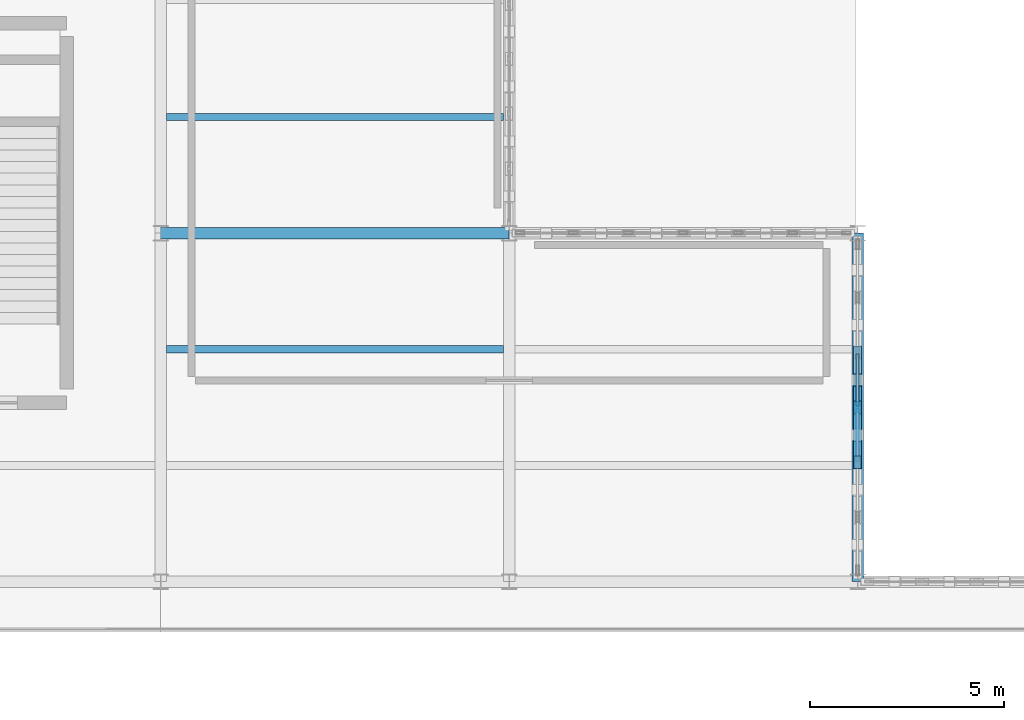
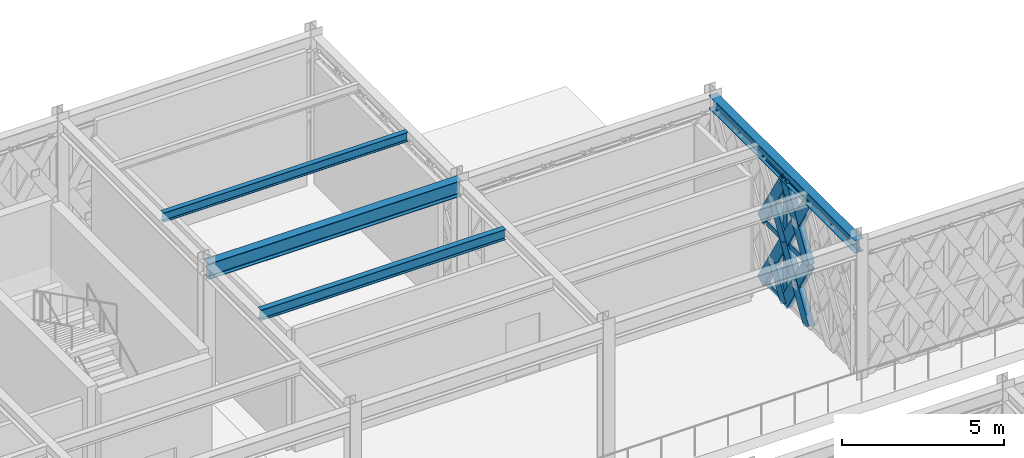
# One storey, part 94 of 140: 16 members, 4 beams, 1 element without a shape of its own.
"""IFC4 building model written with IfcOpenShell, lengths in metres."""

from ifc_helpers import new_model, si_unit, direction, frame, origin, origin_2d, place, context, subcontext, project, spatial, hollow_rectangle, i_section, extrude, material, material_profile, profile_set, type_object, element, aggregate, save


model = new_model("IFC4")

# Units and contexts
model_context = context("Model", 3, precision=1e-05, world=origin(), true_north=direction((0.0, 1.0)))
body_context = subcontext(model_context, "Body", "Model", "MODEL_VIEW")
ifc_project = project(units=[si_unit("LENGTHUNIT", "METRE"), si_unit("AREAUNIT", "SQUARE_METRE"), si_unit("VOLUMEUNIT", "CUBIC_METRE"), si_unit("PLANEANGLEUNIT", "RADIAN"), si_unit("MASSUNIT", "GRAM", prefix="KILO")], contexts=[model_context])

# Site, building, storey
site_placement = place(None, origin())
site = spatial("IfcSite", under=ifc_project, at=site_placement, CompositionType="ELEMENT")
building_placement = place(site_placement, origin())
building = spatial("IfcBuilding", under=site, at=building_placement, Name="Haizhuo Lancet Aquarium", CompositionType="ELEMENT")
storey_placement = place(building_placement, origin())
storey = spatial("IfcBuildingStorey", under=building, at=storey_placement, Name="L00", CompositionType="ELEMENT", Elevation=0.0)

# Beams
ifc_material_1 = material(Name="Steel S355", Category="steel")
ifc_material_profile_1 = material_profile(ifc_material_1, i_section(OverallWidth=0.300048828125, OverallDepth=0.488037109375, WebThickness=0.010986328125, FlangeThickness=0.01806640625, FilletRadius=0.02392578125, at=origin_2d()), Name="HM 488x300x11x18")
ifc_profile_set_1 = profile_set([ifc_material_profile_1], Name="Steel S355")
beam_type_1 = type_object("IfcBeamType", Name="BM-ST-HM488", PredefinedType="BEAM", material=ifc_profile_set_1)
beam_1_placement = place(storey_placement, frame((72.0, 18.0, 4.8759765625), z_axis=(0.0, 1.0, 0.0), x_axis=(-1.0, 0.0, 0.0)))
element("IfcBeam", 1, at=beam_1_placement, inside=storey, type_object=beam_type_1, Name="L00 V7 primary girder BM-L00-V7-026", PredefinedType="BEAM", context=body_context, shape_type="SweptSolid", body=[
    extrude(i_section(OverallWidth=0.300048828125, OverallDepth=0.488037109375, WebThickness=0.010986328125, FlangeThickness=0.01806640625, FilletRadius=0.02392578125, at=origin_2d()), origin(), (0.0, 0.0, 1.0), 9.0),
])
ifc_material_profile_2 = material_profile(ifc_material_1, i_section(OverallWidth=0.300048828125, OverallDepth=0.587890625, WebThickness=0.011962890625, FlangeThickness=0.02001953125, FilletRadius=0.02587890625, at=origin_2d()), Name="HM 588x300x12x20")
ifc_profile_set_2 = profile_set([ifc_material_profile_2], Name="Steel S355")
beam_type_2 = type_object("IfcBeamType", Name="BM-ST-HM588", PredefinedType="BEAM", material=ifc_profile_set_2)
beam_2_placement = place(storey_placement, frame((54.0, 27.0, 4.825927734375), z_axis=(1.0, 0.0, 0.0), x_axis=(0.0, 1.0, 0.0)))
element("IfcBeam", 2, at=beam_2_placement, inside=storey, type_object=beam_type_2, Name="L00 V7 primary girder BM-L00-V7-016", PredefinedType="BEAM", context=body_context, shape_type="SweptSolid", body=[
    extrude(i_section(OverallWidth=0.300048828125, OverallDepth=0.587890625, WebThickness=0.011962890625, FlangeThickness=0.02001953125, FilletRadius=0.02587890625, at=origin_2d()), origin(), (0.0, 0.0, 1.0), 9.0),
])

# Curtain wall, members
ifc_material_2 = material(Name="Aluminium 6063-T6", Category="aluminium")
curtain_wall_type = type_object("IfcCurtainWallType", Name="CWD-8510x4630", PredefinedType="NOTDEFINED", material=ifc_material_2)
curtain_wall_placement = place(storey_placement, origin())
curtain_wall = element("IfcCurtainWall", 3, at=curtain_wall_placement, inside=storey, type_object=curtain_wall_type, Name="L00 curtain wall CW-V7-L00-276", PredefinedType="NOTDEFINED")
ifc_material_profile_3 = material_profile(ifc_material_2, hollow_rectangle(XDim=0.080078125, YDim=0.260009765625, WallThickness=0.0048828125, at=origin_2d()), Name="ALU-M 80x260x5")
ifc_profile_set_3 = profile_set([ifc_material_profile_3], Name="Aluminium 6063-T6")
member_type_1 = type_object("IfcMemberType", Name="CW-MUL-3", PredefinedType="MULLION", material=ifc_profile_set_3)
member_1_placement = place(storey_placement, frame((72.0, 22.5, 0.0), z_axis=(0.0, 0.0, 1.0), x_axis=(1.0, 0.0, 0.0)))
member_1 = element("IfcMember", 4, at=member_1_placement, type_object=member_type_1, Name="CWD-85x46 mullion 4", PredefinedType="MULLION", context=body_context, shape_type="SweptSolid", body=[
    extrude(hollow_rectangle(XDim=0.080078125, YDim=0.260009765625, WallThickness=0.0048828125, at=origin_2d()), origin(), (0.0, 0.0, 1.0), 4.632080078125),
])
ifc_material_profile_4 = material_profile(ifc_material_2, hollow_rectangle(XDim=0.080078125, YDim=0.18994140625, WallThickness=0.0048828125, at=origin_2d()), Name="ALU-T 80x190x5")
ifc_profile_set_4 = profile_set([ifc_material_profile_4], Name="Aluminium 6063-T6")
member_type_2 = type_object("IfcMemberType", Name="CW-TRN-3", PredefinedType="NOTDEFINED", material=ifc_profile_set_4)
member_2_placement = place(storey_placement, frame((72.0, 23.8779296875, 0.0400390625), z_axis=(0.0, -1.0, 0.0), x_axis=(1.0, 0.0, 0.0)))
member_2 = element("IfcMember", 5, at=member_2_placement, type_object=member_type_2, Name="CWD-85x46 transom 3.1", ObjectType="TRANSOM", PredefinedType="USERDEFINED", context=body_context, shape_type="SweptSolid", body=[
    extrude(hollow_rectangle(XDim=0.080078125, YDim=0.18994140625, WallThickness=0.0048828125, at=origin_2d()), origin(), (0.0, 0.0, 1.0), 1.337890625),
])
member_3_placement = place(storey_placement, frame((72.0, 23.8779296875, 2.31591796875), z_axis=(0.0, -1.0, 0.0), x_axis=(1.0, 0.0, 0.0)))
member_3 = element("IfcMember", 6, at=member_3_placement, type_object=member_type_2, Name="CWD-85x46 transom 3.2", ObjectType="TRANSOM", PredefinedType="USERDEFINED", context=body_context, shape_type="SweptSolid", body=[
    extrude(hollow_rectangle(XDim=0.080078125, YDim=0.18994140625, WallThickness=0.0048828125, at=origin_2d()), origin(), (0.0, 0.0, 1.0), 1.337890625),
])
member_4_placement = place(storey_placement, frame((72.0, 23.8779296875, 4.592041015625), z_axis=(0.0, -1.0, 0.0), x_axis=(1.0, 0.0, 0.0)))
member_4 = element("IfcMember", 7, at=member_4_placement, type_object=member_type_2, Name="CWD-85x46 transom 3.3", ObjectType="TRANSOM", PredefinedType="USERDEFINED", context=body_context, shape_type="SweptSolid", body=[
    extrude(hollow_rectangle(XDim=0.080078125, YDim=0.18994140625, WallThickness=0.0048828125, at=origin_2d()), origin(), (0.0, 0.0, 1.0), 1.337890625),
])
member_5_placement = place(storey_placement, frame((72.0, 22.4599609375, 2.31591796875), z_axis=(0.0, -1.0, 0.0), x_axis=(1.0, 0.0, 0.0)))
member_5 = element("IfcMember", 8, at=member_5_placement, type_object=member_type_2, Name="CWD-85x46 transom 4.2", ObjectType="TRANSOM", PredefinedType="USERDEFINED", context=body_context, shape_type="SweptSolid", body=[
    extrude(hollow_rectangle(XDim=0.080078125, YDim=0.18994140625, WallThickness=0.0048828125, at=origin_2d()), origin(), (0.0, 0.0, 1.0), 1.337890625),
])
member_6_placement = place(storey_placement, frame((72.0, 22.4599609375, 4.592041015625), z_axis=(0.0, -1.0, 0.0), x_axis=(1.0, 0.0, 0.0)))
member_6 = element("IfcMember", 9, at=member_6_placement, type_object=member_type_2, Name="CWD-85x46 transom 4.3", ObjectType="TRANSOM", PredefinedType="USERDEFINED", context=body_context, shape_type="SweptSolid", body=[
    extrude(hollow_rectangle(XDim=0.080078125, YDim=0.18994140625, WallThickness=0.0048828125, at=origin_2d()), origin(), (0.0, 0.0, 1.0), 1.337890625),
])
aggregate(curtain_wall, [member_1, member_2, member_3, member_4, member_5, member_6])

# Beams
ifc_material_profile_5 = material_profile(ifc_material_1, i_section(OverallWidth=0.175048828125, OverallDepth=0.35009765625, WebThickness=0.007080078125, FlangeThickness=0.010986328125, FilletRadius=0.013916015625, at=origin_2d()), Name="HN 350x175x7x11")
ifc_profile_set_5 = profile_set([ifc_material_profile_5], Name="Steel S355")
beam_type_3 = type_object("IfcBeamType", Name="JST-ST-HN350", PredefinedType="JOIST", material=ifc_profile_set_5)
beam_3_placement = place(storey_placement, frame((54.14990234375, 30.0, 4.945068359375), z_axis=(1.0, 0.0, 0.0), x_axis=(0.0, 1.0, 0.0)))
element("IfcBeam", 10, at=beam_3_placement, inside=storey, type_object=beam_type_3, Name="L00 V7 secondary floor joist 7", PredefinedType="JOIST", context=body_context, shape_type="SweptSolid", body=[
    extrude(i_section(OverallWidth=0.175048828125, OverallDepth=0.35009765625, WebThickness=0.007080078125, FlangeThickness=0.010986328125, FilletRadius=0.013916015625, at=origin_2d()), origin(), (0.0, 0.0, 1.0), 8.7001953125),
])
ifc_material_profile_6 = material_profile(ifc_material_1, i_section(OverallWidth=0.199951171875, OverallDepth=0.39990234375, WebThickness=0.008056640625, FlangeThickness=0.012939453125, FilletRadius=0.01611328125, at=origin_2d()), Name="HN 400x200x8x13")
ifc_profile_set_6 = profile_set([ifc_material_profile_6], Name="Steel S355")
beam_type_4 = type_object("IfcBeamType", Name="JST-ST-HN400", PredefinedType="JOIST", material=ifc_profile_set_6)
beam_4_placement = place(storey_placement, frame((54.14990234375, 24.0, 4.919921875), z_axis=(1.0, 0.0, 0.0), x_axis=(0.0, 1.0, 0.0)))
element("IfcBeam", 11, at=beam_4_placement, inside=storey, type_object=beam_type_4, Name="L00 V7 secondary floor joist 6", PredefinedType="JOIST", context=body_context, shape_type="SweptSolid", body=[
    extrude(i_section(OverallWidth=0.199951171875, OverallDepth=0.39990234375, WebThickness=0.008056640625, FlangeThickness=0.012939453125, FilletRadius=0.01611328125, at=origin_2d()), origin(), (0.0, 0.0, 1.0), 8.7001953125),
])

# Members
ifc_material_profile_7 = material_profile(ifc_material_1, hollow_rectangle(XDim=0.199951171875, YDim=0.39990234375, WallThickness=0.011962890625, at=origin_2d()), Name="RHS 200x400x12")
ifc_profile_set_7 = profile_set([ifc_material_profile_7], Name="Steel S355")
member_type_3 = type_object("IfcMemberType", Name="MEM-LB-RHS200x400", PredefinedType="BRACE", material=ifc_profile_set_7)
member_7_placement = place(storey_placement, frame((72.0, 23.91796875, 0.0), z_axis=(0.0, -0.52216987418, 0.852841499048), x_axis=(1.0, 0.0, 0.0)))
element("IfcMember", 12, at=member_7_placement, inside=storey, type_object=member_type_3, Name="Gothic lancet continuous diagonal brace CW-V7-L00-276 5A", PredefinedType="BRACE", context=body_context, shape_type="SweptSolid", body=[
    extrude(hollow_rectangle(XDim=0.199951171875, YDim=0.39990234375, WallThickness=0.011962890625, at=origin_2d()), origin(), (0.0, 0.0, 1.0), 2.715576171875),
])
member_8_placement = place(storey_placement, frame((72.0, 22.5, 0.0), z_axis=(0.0, 0.52216987418, 0.852841499048), x_axis=(-1.0, 0.0, 0.0)))
element("IfcMember", 13, at=member_8_placement, inside=storey, type_object=member_type_3, Name="Gothic lancet split diagonal brace CW-V7-L00-276 5B1", PredefinedType="BRACE", context=body_context, shape_type="SweptSolid", body=[
    extrude(hollow_rectangle(XDim=0.199951171875, YDim=0.39990234375, WallThickness=0.011962890625, at=origin_2d()), origin(), (0.0, 0.0, 1.0), 1.357666015625),
])
member_9_placement = place(storey_placement, frame((72.0, 23.91796875, 2.31591796875), z_axis=(0.0, -0.522129839323, 0.852866009927), x_axis=(1.0, 0.0, 0.0)))
element("IfcMember", 14, at=member_9_placement, inside=storey, type_object=member_type_3, Name="Gothic lancet continuous diagonal brace CW-V7-L00-276 6A", PredefinedType="BRACE", context=body_context, shape_type="SweptSolid", body=[
    extrude(hollow_rectangle(XDim=0.199951171875, YDim=0.39990234375, WallThickness=0.011962890625, at=origin_2d()), origin(), (0.0, 0.0, 1.0), 2.7158203125),
])
member_10_placement = place(storey_placement, frame((72.0, 22.5, 2.31591796875), z_axis=(0.0, 0.522089809454, 0.852890515168), x_axis=(-1.0, 0.0, 0.0)))
element("IfcMember", 15, at=member_10_placement, inside=storey, type_object=member_type_3, Name="Gothic lancet split diagonal brace CW-V7-L00-276 6B1", PredefinedType="BRACE", context=body_context, shape_type="SweptSolid", body=[
    extrude(hollow_rectangle(XDim=0.199951171875, YDim=0.39990234375, WallThickness=0.011962890625, at=origin_2d()), origin(), (0.0, 0.0, 1.0), 1.35791015625),
])
member_11_placement = place(storey_placement, frame((72.0, 22.5, 0.0), z_axis=(0.0, -0.52216987418, 0.852841499048), x_axis=(1.0, 0.0, 0.0)))
element("IfcMember", 16, at=member_11_placement, inside=storey, type_object=member_type_3, Name="Gothic lancet continuous diagonal brace CW-V7-L00-276 7A", PredefinedType="BRACE", context=body_context, shape_type="SweptSolid", body=[
    extrude(hollow_rectangle(XDim=0.199951171875, YDim=0.39990234375, WallThickness=0.011962890625, at=origin_2d()), origin(), (0.0, 0.0, 1.0), 2.715576171875),
])
for number, where, z_axis, x_axis, name in (
    (17, (72.0, 21.08203125, 0.0), (0.0, 0.52216987418, 0.852841499048), (-1.0, 0.0, 0.0), "Gothic lancet split diagonal brace CW-V7-L00-276 7B1"),
    (18, (72.0, 21.791015625, 1.157958984375), (0.0, 0.52216987418, 0.852841499048), (-1.0, 0.0, 0.0), "Gothic lancet split diagonal brace CW-V7-L00-276 7B2"),
):
    element("IfcMember", number, at=place(storey_placement, frame(where, z_axis=z_axis, x_axis=x_axis)), inside=storey, type_object=member_type_3, Name=name, PredefinedType="BRACE", context=body_context, shape_type="SweptSolid", body=[
        extrude(hollow_rectangle(XDim=0.199951171875, YDim=0.39990234375, WallThickness=0.011962890625, at=origin_2d()), origin(), (0.0, 0.0, 1.0), 1.357666015625),
    ])
member_12_placement = place(storey_placement, frame((72.0, 22.5, 2.31591796875), z_axis=(0.0, -0.522129839323, 0.852866009927), x_axis=(1.0, 0.0, 0.0)))
element("IfcMember", 19, at=member_12_placement, inside=storey, type_object=member_type_3, Name="Gothic lancet continuous diagonal brace CW-V7-L00-276 8A", PredefinedType="BRACE", context=body_context, shape_type="SweptSolid", body=[
    extrude(hollow_rectangle(XDim=0.199951171875, YDim=0.39990234375, WallThickness=0.011962890625, at=origin_2d()), origin(), (0.0, 0.0, 1.0), 2.7158203125),
])
member_13_placement = place(storey_placement, frame((72.0, 21.08203125, 2.31591796875), z_axis=(0.0, 0.522089809454, 0.852890515168), x_axis=(-1.0, 0.0, 0.0)))
element("IfcMember", 20, at=member_13_placement, inside=storey, type_object=member_type_3, Name="Gothic lancet split diagonal brace CW-V7-L00-276 8B1", PredefinedType="BRACE", context=body_context, shape_type="SweptSolid", body=[
    extrude(hollow_rectangle(XDim=0.199951171875, YDim=0.39990234375, WallThickness=0.011962890625, at=origin_2d()), origin(), (0.0, 0.0, 1.0), 1.35791015625),
])
member_14_placement = place(storey_placement, frame((72.0, 21.791015625, 3.47412109375), z_axis=(0.0, 0.52216987418, 0.852841499048), x_axis=(-1.0, 0.0, 0.0)))
element("IfcMember", 21, at=member_14_placement, inside=storey, type_object=member_type_3, Name="Gothic lancet split diagonal brace CW-V7-L00-276 8B2", PredefinedType="BRACE", context=body_context, shape_type="SweptSolid", body=[
    extrude(hollow_rectangle(XDim=0.199951171875, YDim=0.39990234375, WallThickness=0.011962890625, at=origin_2d()), origin(), (0.0, 0.0, 1.0), 1.357666015625),
])

save(model, "model.ifc")
